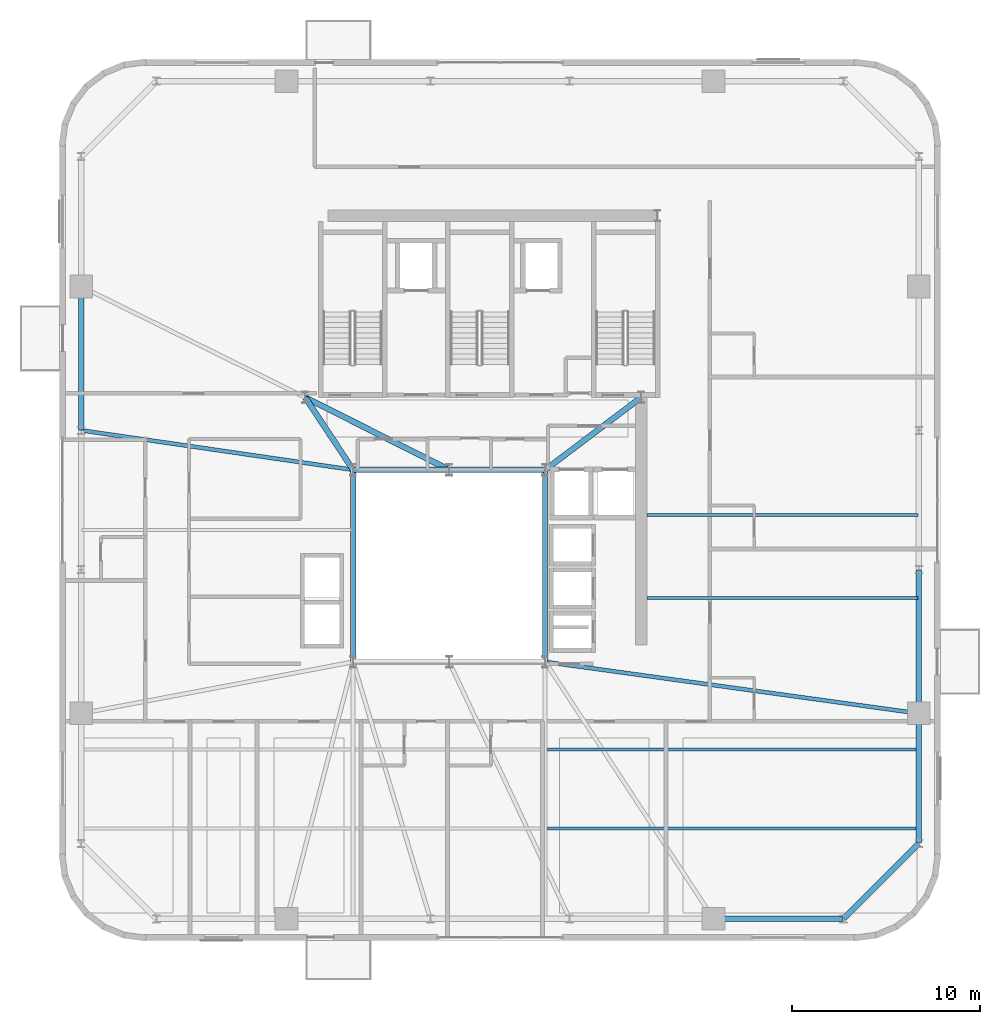
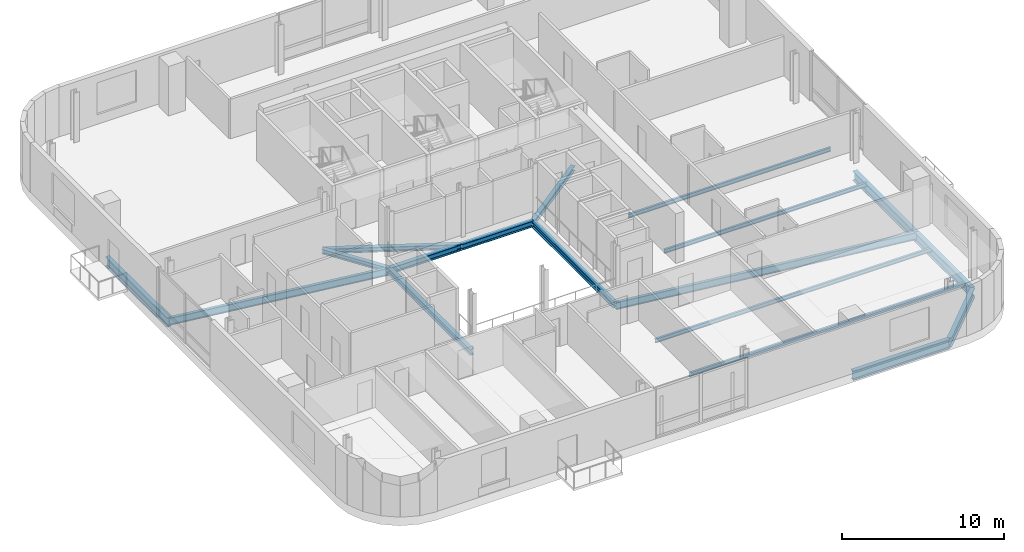
# One storey, part 4 of 15: 18 beams.
"""IFC4 building model written with IfcOpenShell, lengths in metres."""

from ifc_helpers import new_model, si_unit, direction, frame, origin, origin_2d, place, context, subcontext, project, spatial, i_section, extrude, source, transform, mapped, material, material_profile, profile_set, type_object, element, save


model = new_model("IFC4")

# Units and contexts
model_context = context("Model", 3, precision=1e-05, world=origin(), true_north=direction((0.0, 1.0)))
body_context = subcontext(model_context, "Body", "Model", "MODEL_VIEW")
ifc_project = project(units=[si_unit("LENGTHUNIT", "METRE"), si_unit("AREAUNIT", "SQUARE_METRE"), si_unit("VOLUMEUNIT", "CUBIC_METRE"), si_unit("PLANEANGLEUNIT", "RADIAN"), si_unit("MASSUNIT", "GRAM", prefix="KILO")], contexts=[model_context])

# Site, building, storey
site_placement = place(None, origin())
site = spatial("IfcSite", under=ifc_project, at=site_placement, CompositionType="ELEMENT")
building_placement = place(site_placement, origin())
building = spatial("IfcBuilding", under=site, at=building_placement, Name="Vardaveli Station Tower", CompositionType="ELEMENT")
storey_placement = place(building_placement, frame((0.0, 0.0, 242.699951171875)))
storey = spatial("IfcBuildingStorey", under=building, at=storey_placement, Name="L62", CompositionType="ELEMENT", Elevation=242.699951171875)

# Beams
ifc_material_1 = material(Name="Structural steel S355J2", Category="steel")
ifc_material_profile_1 = material_profile(ifc_material_1, i_section(OverallWidth=0.300048828125, OverallDepth=0.449951171875, WebThickness=0.013916015625, FlangeThickness=0.02587890625, FilletRadius=0.027099609375, at=origin_2d()), Name="HEB 450")
ifc_profile_set_1 = profile_set([ifc_material_profile_1], Name="Structural steel S355J2")
beam_type_1 = type_object("IfcBeamType", Name="BM-HEB450", PredefinedType="BEAM", material=ifc_profile_set_1)
shared_shape_1 = source(origin(), body_context, "Body", "SweptSolid", [
    extrude(i_section(OverallWidth=0.300048828125, OverallDepth=0.449951171875, WebThickness=0.013916015625, FlangeThickness=0.02587890625, FilletRadius=0.027099609375, at=origin_2d()), origin(), (0.0, 0.0, 1.0), 5.06005859375),
])
beam_1_placement = place(storey_placement, frame((36.280029296875, 26.800048828125, -0.875), z_axis=(-1.0, 0.0, 0.0), x_axis=(0.0, -1.0, 0.0)))
element("IfcBeam", 1, at=beam_1_placement, inside=storey, type_object=beam_type_1, Name="ABM-L62-05", PredefinedType="BEAM", context=body_context, shape_type="MappedRepresentation", body=[
    mapped(shared_shape_1, transform((0.0, 0.0, 0.0), scale=1.0)),
])
shared_shape_2 = source(origin(), body_context, "Body", "SweptSolid", [
    extrude(i_section(OverallWidth=0.300048828125, OverallDepth=0.449951171875, WebThickness=0.013916015625, FlangeThickness=0.02587890625, FilletRadius=0.027099609375, at=origin_2d()), origin(), (0.0, 0.0, 1.0), 5.059814453125),
])
beam_2_placement = place(storey_placement, frame((41.3798828125, 26.800048828125, -0.875), z_axis=(-1.0, 0.0, 0.0), x_axis=(0.0, -1.0, 0.0)))
element("IfcBeam", 2, at=beam_2_placement, inside=storey, type_object=beam_type_1, Name="ABM-L62-04", PredefinedType="BEAM", context=body_context, shape_type="MappedRepresentation", body=[
    mapped(shared_shape_2, transform((0.0, 0.0, 0.0), scale=1.0)),
])
shared_shape_3 = source(origin(), body_context, "Body", "SweptSolid", [
    extrude(i_section(OverallWidth=0.300048828125, OverallDepth=0.449951171875, WebThickness=0.013916015625, FlangeThickness=0.02587890625, FilletRadius=0.027099609375, at=origin_2d()), origin(), (0.0, 0.0, 1.0), 10.159912109375),
])
for number, where, z_axis, x_axis, name in (
    (3, (41.39990234375, 16.6201171875, -0.875), (0.0, 1.0, 0.0), (-1.0, 0.0, 0.0), "ABM-L62-03"),
    (4, (31.199951171875, 26.780029296875, -0.875), (0.0, -1.0, 0.0), (1.0, 0.0, 0.0), "ABM-L62-06"),
):
    element("IfcBeam", number, at=place(storey_placement, frame(where, z_axis=z_axis, x_axis=x_axis)), inside=storey, type_object=beam_type_1, Name=name, PredefinedType="BEAM", context=body_context, shape_type="MappedRepresentation", body=[
        mapped(shared_shape_3, transform((0.0, 0.0, 0.0), scale=1.0)),
    ])
ifc_material_profile_2 = material_profile(ifc_material_1, i_section(OverallWidth=0.300048828125, OverallDepth=0.360107421875, WebThickness=0.012451171875, FlangeThickness=0.0224609375, FilletRadius=0.027099609375, at=origin_2d()), Name="HEB 360")
ifc_profile_set_2 = profile_set([ifc_material_profile_2], Name="Structural steel S355J2")
beam_type_2 = type_object("IfcBeamType", Name="BM-HEB360", PredefinedType="BEAM", material=ifc_profile_set_2)
shared_shape_4 = source(origin(), body_context, "Body", "SweptSolid", [
    extrude(i_section(OverallWidth=0.300048828125, OverallDepth=0.360107421875, WebThickness=0.012451171875, FlangeThickness=0.0224609375, FilletRadius=0.027099609375, at=origin_2d()), origin(), (0.0, 0.0, 1.0), 4.577880859375),
])
beam_3_placement = place(storey_placement, frame((31.18896484375, 26.816650390625, -0.829833984375), z_axis=(-0.55218702139, 0.833720272879, 0.0), x_axis=(-0.833720272879, -0.55218702139, 0.0)))
element("IfcBeam", 5, at=beam_3_placement, inside=storey, type_object=beam_type_2, Name="CBM-L62-01", PredefinedType="BEAM", context=body_context, shape_type="MappedRepresentation", body=[
    mapped(shared_shape_4, transform((0.0, 0.0, 0.0), scale=1.0)),
])
shared_shape_5 = source(origin(), body_context, "Body", "SweptSolid", [
    extrude(i_section(OverallWidth=0.300048828125, OverallDepth=0.360107421875, WebThickness=0.012451171875, FlangeThickness=0.0224609375, FilletRadius=0.027099609375, at=origin_2d()), origin(), (0.0, 0.0, 1.0), 6.35009765625),
])
beam_4_placement = place(storey_placement, frame((41.416015625, 26.81201171875, -0.829833984375), z_axis=(0.798118337722, 0.602500721154, 0.0), x_axis=(-0.602500721154, 0.798118337722, 0.0)))
element("IfcBeam", 6, at=beam_4_placement, inside=storey, type_object=beam_type_2, Name="CBM-L62-02", PredefinedType="BEAM", context=body_context, shape_type="MappedRepresentation", body=[
    mapped(shared_shape_5, transform((0.0, 0.0, 0.0), scale=1.0)),
])
shared_shape_6 = source(origin(), body_context, "Body", "SweptSolid", [
    extrude(i_section(OverallWidth=0.300048828125, OverallDepth=0.360107421875, WebThickness=0.012451171875, FlangeThickness=0.0224609375, FilletRadius=0.027099609375, at=origin_2d()), origin(), (0.0, 0.0, 1.0), 8.524169921875),
])
beam_5_placement = place(storey_placement, frame((28.66796875, 30.64111328125, -0.829833984375), z_axis=(0.893255584708, -0.449549174605, 0.0), x_axis=(0.449549174605, 0.893255584708, 0.0)))
element("IfcBeam", 7, at=beam_5_placement, inside=storey, type_object=beam_type_2, Name="CBM-L62-03", PredefinedType="BEAM", context=body_context, shape_type="MappedRepresentation", body=[
    mapped(shared_shape_6, transform((0.0, 0.0, 0.0), scale=1.0)),
])
ifc_material_2 = material(Name="Structural steel S460M", Category="steel")
ifc_material_profile_3 = material_profile(ifc_material_2, i_section(OverallWidth=0.303955078125, OverallDepth=0.716064453125, WebThickness=0.02099609375, FlangeThickness=0.0400390625, FilletRadius=0.027099609375, at=origin_2d()), Name="HEM 700")
ifc_profile_set_3 = profile_set([ifc_material_profile_3], Name="Structural steel S460M")
beam_type_3 = type_object("IfcBeamType", Name="BM-HEM700", PredefinedType="BEAM", material=ifc_profile_set_3)
shared_shape_7 = source(origin(), body_context, "Body", "SweptSolid", [
    extrude(i_section(OverallWidth=0.303955078125, OverallDepth=0.716064453125, WebThickness=0.02099609375, FlangeThickness=0.0400390625, FilletRadius=0.027099609375, at=origin_2d()), origin(), (0.0, 0.0, 1.0), 7.60009765625),
])
for number, where, z_axis, x_axis, name in (
    (8, (61.25, 13.8798828125, -1.008056640625), (0.0, 1.0, 0.0), (-1.0, 0.0, 0.0), "RBM-L62-07"),
    (9, (16.75, 36.52001953125, -1.008056640625), (0.0, -1.0, 0.0), (1.0, 0.0, 0.0), "RBM-L62-19"),
):
    element("IfcBeam", number, at=place(storey_placement, frame(where, z_axis=z_axis, x_axis=x_axis)), inside=storey, type_object=beam_type_3, Name=name, PredefinedType="BEAM", context=body_context, shape_type="MappedRepresentation", body=[
        mapped(shared_shape_7, transform((0.0, 0.0, 0.0), scale=1.0)),
    ])
shared_shape_8 = source(origin(), body_context, "Body", "SweptSolid", [
    extrude(i_section(OverallWidth=0.303955078125, OverallDepth=0.716064453125, WebThickness=0.02099609375, FlangeThickness=0.0400390625, FilletRadius=0.027099609375, at=origin_2d()), origin(), (0.0, 0.0, 1.0), 6.869873046875),
])
beam_6_placement = place(storey_placement, frame((50.360107421875, 2.949951171875, -1.008056640625), z_axis=(1.0, 0.0, 0.0), x_axis=(0.0, 1.0, 0.0)))
element("IfcBeam", 10, at=beam_6_placement, inside=storey, type_object=beam_type_3, Name="RBM-L62-04", PredefinedType="BEAM", context=body_context, shape_type="MappedRepresentation", body=[
    mapped(shared_shape_8, transform((0.0, 0.0, 0.0), scale=1.0)),
])
shared_shape_9 = source(origin(), body_context, "Body", "SweptSolid", [
    extrude(i_section(OverallWidth=0.303955078125, OverallDepth=0.716064453125, WebThickness=0.02099609375, FlangeThickness=0.0400390625, FilletRadius=0.027099609375, at=origin_2d()), origin(), (0.0, 0.0, 1.0), 5.61669921875),
])
beam_7_placement = place(storey_placement, frame((57.26416015625, 2.964111328125, -1.008056640625), z_axis=(0.707106781187, 0.707106781187, 0.0), x_axis=(-0.707106781187, 0.707106781187, 0.0)))
element("IfcBeam", 11, at=beam_7_placement, inside=storey, type_object=beam_type_3, Name="RBM-L62-05", PredefinedType="BEAM", context=body_context, shape_type="MappedRepresentation", body=[
    mapped(shared_shape_9, transform((0.0, 0.0, 0.0), scale=1.0)),
])
shared_shape_10 = source(origin(), body_context, "Body", "SweptSolid", [
    extrude(i_section(OverallWidth=0.303955078125, OverallDepth=0.716064453125, WebThickness=0.02099609375, FlangeThickness=0.0400390625, FilletRadius=0.027099609375, at=origin_2d()), origin(), (0.0, 0.0, 1.0), 6.8701171875),
])
beam_8_placement = place(storey_placement, frame((61.25, 6.969970703125, -1.008056640625), z_axis=(0.0, 1.0, 0.0), x_axis=(-1.0, 0.0, 0.0)))
element("IfcBeam", 12, at=beam_8_placement, inside=storey, type_object=beam_type_3, Name="RBM-L62-06", PredefinedType="BEAM", context=body_context, shape_type="MappedRepresentation", body=[
    mapped(shared_shape_10, transform((0.0, 0.0, 0.0), scale=1.0)),
])
ifc_material_profile_4 = material_profile(ifc_material_1, i_section(OverallWidth=0.2099609375, OverallDepth=0.550048828125, WebThickness=0.010986328125, FlangeThickness=0.01708984375, FilletRadius=0.02392578125, at=origin_2d()), Name="IPE 550")
ifc_profile_set_4 = profile_set([ifc_material_profile_4], Name="Structural steel S355J2")
beam_type_4 = type_object("IfcBeamType", Name="BM-IPE550", PredefinedType="BEAM", material=ifc_profile_set_4)
shared_shape_11 = source(origin(), body_context, "Body", "SweptSolid", [
    extrude(i_section(OverallWidth=0.2099609375, OverallDepth=0.550048828125, WebThickness=0.010986328125, FlangeThickness=0.01708984375, FilletRadius=0.02392578125, at=origin_2d()), origin(), (0.0, 0.0, 1.0), 19.998046875),
])
beam_9_placement = place(storey_placement, frame((61.230224609375, 13.86279296875, -0.925048828125), z_axis=(-0.9906081331, 0.136731586098, 0.0), x_axis=(-0.136731586098, -0.9906081331, 0.0)))
element("IfcBeam", 13, at=beam_9_placement, inside=storey, type_object=beam_type_4, Name="GBM-L62-05", PredefinedType="BEAM", context=body_context, shape_type="MappedRepresentation", body=[
    mapped(shared_shape_11, transform((0.0, 0.0, 0.0), scale=1.0)),
])
shared_shape_12 = source(origin(), body_context, "Body", "SweptSolid", [
    extrude(i_section(OverallWidth=0.2099609375, OverallDepth=0.550048828125, WebThickness=0.010986328125, FlangeThickness=0.01708984375, FilletRadius=0.02392578125, at=origin_2d()), origin(), (0.0, 0.0, 1.0), 14.561767578125),
])
beam_10_placement = place(storey_placement, frame((16.769775390625, 28.897216796875, -0.925048828125), z_axis=(0.989604234236, -0.143817452288, 0.0), x_axis=(0.143817452288, 0.989604234236, 0.0)))
element("IfcBeam", 14, at=beam_10_placement, inside=storey, type_object=beam_type_4, Name="GBM-L62-08", PredefinedType="BEAM", context=body_context, shape_type="MappedRepresentation", body=[
    mapped(shared_shape_12, transform((0.0, 0.0, 0.0), scale=1.0)),
])
ifc_material_profile_5 = material_profile(ifc_material_1, i_section(OverallWidth=0.14990234375, OverallDepth=0.300048828125, WebThickness=0.007080078125, FlangeThickness=0.0107421875, FilletRadius=0.014892578125, at=origin_2d()), Name="IPE 300")
ifc_profile_set_5 = profile_set([ifc_material_profile_5], Name="Structural steel S355J2")
beam_type_5 = type_object("IfcBeamType", Name="BM-IPE300", PredefinedType="JOIST", material=ifc_profile_set_5)
shared_shape_13 = source(origin(), body_context, "Body", "SweptSolid", [
    extrude(i_section(OverallWidth=0.14990234375, OverallDepth=0.300048828125, WebThickness=0.007080078125, FlangeThickness=0.0107421875, FilletRadius=0.014892578125, at=origin_2d()), origin(), (0.0, 0.0, 1.0), 19.697998046875),
])
for number, where, z_axis, x_axis, name in (
    (15, (41.511962890625, 7.75, -0.800048828125), (1.0, 0.0, 0.0), (0.0, 1.0, 0.0), "SJ-L62-S03"),
    (16, (41.511962890625, 11.949951171875, -0.800048828125), (1.0, 0.0, 0.0), (0.0, 1.0, 0.0), "SJ-L62-S06"),
):
    element("IfcBeam", number, at=place(storey_placement, frame(where, z_axis=z_axis, x_axis=x_axis)), inside=storey, type_object=beam_type_5, Name=name, PredefinedType="JOIST", context=body_context, shape_type="MappedRepresentation", body=[
        mapped(shared_shape_13, transform((0.0, 0.0, 0.0), scale=1.0)),
    ])
shared_shape_14 = source(origin(), body_context, "Body", "SweptSolid", [
    extrude(i_section(OverallWidth=0.14990234375, OverallDepth=0.300048828125, WebThickness=0.007080078125, FlangeThickness=0.0107421875, FilletRadius=0.014892578125, at=origin_2d()), origin(), (0.0, 0.0, 1.0), 14.405029296875),
])
for number, where, z_axis, x_axis, name in (
    (17, (46.804931640625, 20.0, -0.800048828125), (1.0, 0.0, 0.0), (0.0, 1.0, 0.0), "SJ-L62-E09"),
    (18, (46.804931640625, 24.39990234375, -0.800048828125), (1.0, 0.0, 0.0), (0.0, 1.0, 0.0), "SJ-L62-E10"),
):
    element("IfcBeam", number, at=place(storey_placement, frame(where, z_axis=z_axis, x_axis=x_axis)), inside=storey, type_object=beam_type_5, Name=name, PredefinedType="JOIST", context=body_context, shape_type="MappedRepresentation", body=[
        mapped(shared_shape_14, transform((0.0, 0.0, 0.0), scale=1.0)),
    ])

save(model, "model.ifc")
